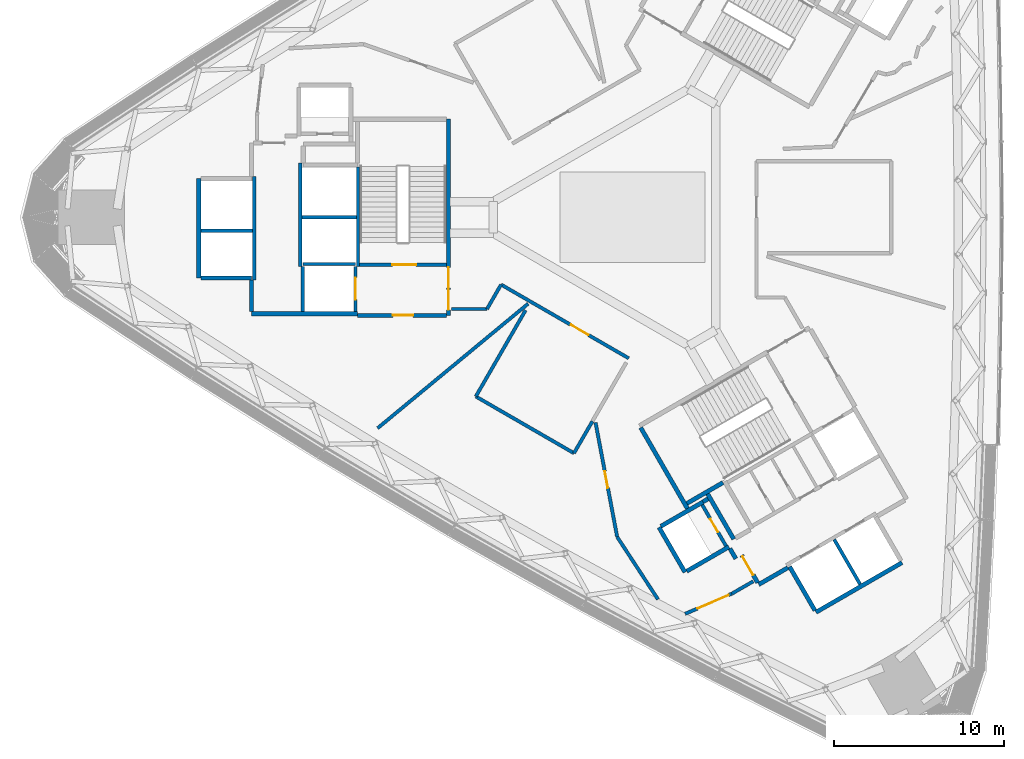
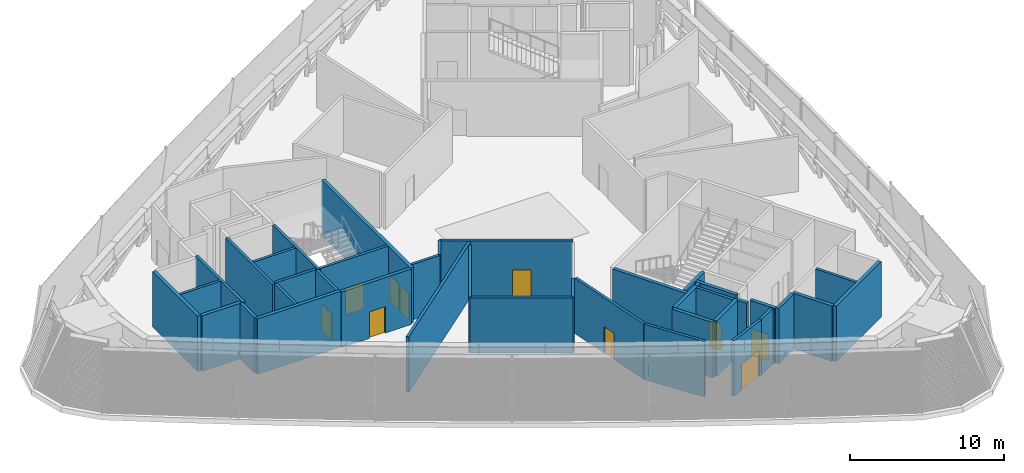
# One storey, part 10 of 17: 40 walls, 10 doors, 10 openings.
"""IFC4 building model written with IfcOpenShell, lengths in metres."""

from ifc_helpers import new_model, si_unit, direction, frame, frame_2d, origin, place, context, subcontext, project, spatial, rectangle, extrude, material, layer, layer_set, type_object, element, fill, save


model = new_model("IFC4")

# Units and contexts
model_context = context("Model", 3, precision=1e-05, world=origin(), true_north=direction((0.0, 1.0)))
body_context = subcontext(model_context, "Body", "Model", "MODEL_VIEW")
ifc_project = project(units=[si_unit("LENGTHUNIT", "METRE"), si_unit("AREAUNIT", "SQUARE_METRE"), si_unit("VOLUMEUNIT", "CUBIC_METRE"), si_unit("PLANEANGLEUNIT", "RADIAN"), si_unit("MASSUNIT", "GRAM", prefix="KILO")], contexts=[model_context])

# Site, building, storey
site_placement = place(None, origin())
site = spatial("IfcSite", under=ifc_project, at=site_placement, CompositionType="ELEMENT")
building_placement = place(site_placement, origin())
building = spatial("IfcBuilding", under=site, at=building_placement, Name="Tamra Quay Hotel Tower", CompositionType="ELEMENT")
storey_placement = place(building_placement, frame((0.0, 0.0, 119.0)))
storey = spatial("IfcBuildingStorey", under=building, at=storey_placement, Name="L29", CompositionType="ELEMENT", Elevation=119.0)

# Walls
ifc_material_1 = material(Name="Concrete M70", Category="concrete")
ifc_layer_1 = layer(ifc_material_1, 0.199951171875)
ifc_layer_set_1 = layer_set([ifc_layer_1], Name="Concrete M70 core wall 200")
wall_type_1 = type_object("IfcWallType", Name="Concrete M70 core wall 200", PredefinedType="SHEAR", material=ifc_layer_set_1)
wall_1_placement = place(storey_placement, frame((-16.162109375, 2.95068359375, 0.0), z_axis=(0.0, 0.0, 1.0), x_axis=(0.0, -1.0, 0.0)))
element("IfcWall", 1, at=wall_1_placement, inside=storey, type_object=wall_type_1, Name="CW2", PredefinedType="SHEAR", context=body_context, shape_type="SweptSolid", body=[
    extrude(rectangle(XDim=5.850830078125, YDim=0.199951171875, at=frame_2d((2.92529296875, 0.0))), origin(), (0.0, 0.0, 1.0), 4.39990234375),
])
for number, where, z_axis, x_axis, name in (
    (2, (-19.5625, -2.900146484375, 0.0), (0.0, 0.0, 1.0), (0.0, 1.0, 0.0), "CW2"),
    (3, (-22.26220703125, 2.400146484375, 0.0), (0.0, 0.0, 1.0), (0.0, -1.0, 0.0), "CW2"),
):
    element("IfcWall", number, at=place(storey_placement, frame(where, z_axis=z_axis, x_axis=x_axis)), inside=storey, type_object=wall_type_1, Name=name, PredefinedType="SHEAR", context=body_context, shape_type="SweptSolid", body=[
        extrude(rectangle(XDim=6.100341796875, YDim=0.199951171875, at=frame_2d((3.05029296875, 0.0))), origin(), (0.0, 0.0, 1.0), 4.39990234375),
    ])

# Wall, opening, door
wall_2_placement = place(storey_placement, frame((-10.96337890625, -2.800048828125, 0.0), z_axis=(0.0, 0.0, 1.0), x_axis=(-1.0, 0.0, 0.0)))
wall_2 = element("IfcWall", 4, at=wall_2_placement, inside=storey, type_object=wall_type_1, Name="CW2", PredefinedType="SHEAR", context=body_context, shape_type="SweptSolid", body=[
    extrude(rectangle(XDim=5.097900390625, YDim=0.199951171875, at=frame_2d((2.548828125, 0.0))), origin(), (0.0, 0.0, 1.0), 4.39990234375),
])
opening_1_placement = place(wall_2_placement, frame((1.77392578125, 0.0, 0.0)))
opening_1 = element("IfcOpeningElement", 5, at=opening_1_placement, cuts=wall_2, Name="Opening FD2", PredefinedType="OPENING", context=body_context, shape_type="SweptSolid", body=[
    extrude(rectangle(XDim=1.39990234375, YDim=2.10009765625, at=frame_2d((0.699951171875, 1.050048828125))), frame((0.0, 0.10986328125, 0.0), z_axis=(0.0, -1.0, 0.0), x_axis=(1.0, 0.0, 0.0)), (0.0, 0.0, 1.0), 0.219970703125),
])
ifc_material_2 = material(Name="Core door FD2 1400x2100 RH")
door_type_1 = type_object("IfcDoorType", Name="Core door FD2 1400x2100 RH", OperationType="NOTDEFINED", PredefinedType="DOOR", material=ifc_material_2)
door_1_placement = place(opening_1_placement, origin())
door_1 = element("IfcDoor", 6, at=door_1_placement, inside=storey, type_object=door_type_1, Name="FD2", OperationType="SINGLE_SWING_RIGHT", OverallHeight=2.10009765625, OverallWidth=1.39990234375, PredefinedType="DOOR", context=body_context, shape_type="SweptSolid", body=[
    extrude(rectangle(XDim=1.39990234375, YDim=2.10009765625, at=frame_2d((0.699951171875, 1.050048828125))), frame((0.0, 0.02490234375, 0.0), z_axis=(0.0, -1.0, 0.0), x_axis=(1.0, 0.0, 0.0)), (0.0, 0.0, 1.0), 0.050048828125),
])
fill(opening_1, door_1)

# Walls
wall_3_placement = place(storey_placement, frame((-16.26318359375, 0.0, 0.0), z_axis=(0.0, 0.0, 1.0), x_axis=(-1.0, 0.0, 0.0)))
element("IfcWall", 7, at=wall_3_placement, inside=storey, type_object=wall_type_1, Name="CW2", PredefinedType="SHEAR", context=body_context, shape_type="SweptSolid", body=[
    extrude(rectangle(XDim=3.1982421875, YDim=0.199951171875, at=frame_2d((1.59912109375, 0.0))), origin(), (0.0, 0.0, 1.0), 4.39990234375),
])
wall_4_placement = place(storey_placement, frame((-22.36328125, -0.800048828125, 0.0), z_axis=(0.0, 0.0, 1.0), x_axis=(-1.0, 0.0, 0.0)))
element("IfcWall", 8, at=wall_4_placement, inside=storey, type_object=wall_type_1, Name="CW2", PredefinedType="SHEAR", context=body_context, shape_type="SweptSolid", body=[
    extrude(rectangle(XDim=3.048095703125, YDim=0.199951171875, at=frame_2d((1.52392578125, 0.0))), origin(), (0.0, 0.0, 1.0), 4.39990234375),
])
wall_5_placement = place(storey_placement, frame((-19.412353515625, -2.75, 0.0), z_axis=(0.0, 0.0, 1.0), x_axis=(1.0, 0.0, 0.0)))
element("IfcWall", 9, at=wall_5_placement, inside=storey, type_object=wall_type_1, Name="CW2", PredefinedType="SHEAR", context=body_context, shape_type="SweptSolid", body=[
    extrude(rectangle(XDim=3.10009765625, YDim=0.199951171875, at=frame_2d((1.550048828125, 0.0))), origin(), (0.0, 0.0, 1.0), 4.39990234375),
])

# Wall, opening, door
wall_6_placement = place(storey_placement, frame((-16.312255859375, -2.898193359375, 0.0), z_axis=(0.0, 0.0, 1.0), x_axis=(0.0, -1.0, 0.0)))
wall_6 = element("IfcWall", 10, at=wall_6_placement, inside=storey, type_object=wall_type_1, Name="CW2", PredefinedType="SHEAR", context=body_context, shape_type="SweptSolid", body=[
    extrude(rectangle(XDim=2.65087890625, YDim=0.199951171875, at=frame_2d((1.325439453125, 0.0))), origin(), (0.0, 0.0, 1.0), 4.39990234375),
])
opening_2_placement = place(wall_6_placement, frame((0.65185546875, 0.0, 0.0)))
opening_2 = element("IfcOpeningElement", 11, at=opening_2_placement, cuts=wall_6, Name="Opening LD", PredefinedType="OPENING", context=body_context, shape_type="SweptSolid", body=[
    extrude(rectangle(XDim=1.300048828125, YDim=2.10009765625, at=frame_2d((0.64990234375, 1.050048828125))), frame((0.0, 0.10986328125, 0.0), z_axis=(0.0, -1.0, 0.0), x_axis=(1.0, 0.0, 0.0)), (0.0, 0.0, 1.0), 0.219970703125),
])
ifc_material_3 = material(Name="Landing door LD 1300 sliding to right")
door_type_2 = type_object("IfcDoorType", Name="Landing door LD 1300 sliding to right", OperationType="NOTDEFINED", PredefinedType="DOOR", material=ifc_material_3)
door_2_placement = place(opening_2_placement, origin())
door_2 = element("IfcDoor", 12, at=door_2_placement, inside=storey, type_object=door_type_2, Name="LD", OperationType="SLIDING_TO_RIGHT", OverallHeight=2.10009765625, OverallWidth=1.300048828125, PredefinedType="DOOR", context=body_context, shape_type="SweptSolid", body=[
    extrude(rectangle(XDim=1.300048828125, YDim=2.10009765625, at=frame_2d((0.64990234375, 1.050048828125))), frame((0.0, 0.02490234375, 0.0), z_axis=(0.0, -1.0, 0.0), x_axis=(1.0, 0.0, 0.0)), (0.0, 0.0, 1.0), 0.050048828125),
])
fill(opening_2, door_2)

# Walls
wall_7_placement = place(storey_placement, frame((-19.412353515625, -5.549072265625, 0.0), z_axis=(0.0, 0.0, 1.0), x_axis=(0.0, 1.0, 0.0)))
element("IfcWall", 13, at=wall_7_placement, inside=storey, type_object=wall_type_1, Name="CW2", PredefinedType="SHEAR", context=body_context, shape_type="SweptSolid", body=[
    extrude(rectangle(XDim=2.65087890625, YDim=0.199951171875, at=frame_2d((1.325439453125, 0.0))), origin(), (0.0, 0.0, 1.0), 4.39990234375),
])
wall_8_placement = place(storey_placement, frame((11.87451171875, -18.967041015625, 0.0), z_axis=(0.0, 0.0, 1.0), x_axis=(0.49998131003, -0.866036194175, 0.0)))
element("IfcWall", 14, at=wall_8_placement, inside=storey, type_object=wall_type_1, Name="CW2", PredefinedType="SHEAR", context=body_context, shape_type="SweptSolid", body=[
    extrude(rectangle(XDim=3.0478515625, YDim=0.199951171875, at=frame_2d((1.52392578125, 0.0))), origin(), (0.0, 0.0, 1.0), 4.39990234375),
])

# Wall, opening, door
wall_9_placement = place(storey_placement, frame((5.50341796875, -19.352294921875, 0.0), z_axis=(0.0, 0.0, 1.0), x_axis=(-0.499986818241, 0.866033014143, 0.0)))
wall_9 = element("IfcWall", 15, at=wall_9_placement, inside=storey, type_object=wall_type_1, Name="CW2", PredefinedType="SHEAR", context=body_context, shape_type="SweptSolid", body=[
    extrude(rectangle(XDim=2.7978515625, YDim=0.199951171875, at=frame_2d((1.39892578125, 0.0))), origin(), (0.0, 0.0, 1.0), 4.39990234375),
])
opening_3_placement = place(wall_9_placement, frame((0.948974609375, 0.0, 0.0)))
opening_3 = element("IfcOpeningElement", 16, at=opening_3_placement, cuts=wall_9, Name="Opening D1", PredefinedType="OPENING", context=body_context, shape_type="SweptSolid", body=[
    extrude(rectangle(XDim=0.89990234375, YDim=2.10009765625, at=frame_2d((0.449951171875, 1.050048828125))), frame((0.0, 0.10986328125, 0.0), z_axis=(0.0, -1.0, 0.0), x_axis=(1.0, 0.0, 0.0)), (0.0, 0.0, 1.0), 0.219970703125),
])
ifc_material_4 = material(Name="Core door D1 900x2100 RH")
door_type_3 = type_object("IfcDoorType", Name="Core door D1 900x2100 RH", OperationType="NOTDEFINED", PredefinedType="DOOR", material=ifc_material_4)
door_3_placement = place(opening_3_placement, origin())
door_3 = element("IfcDoor", 17, at=door_3_placement, inside=storey, type_object=door_type_3, Name="D1", OperationType="SINGLE_SWING_RIGHT", OverallHeight=2.10009765625, OverallWidth=0.89990234375, PredefinedType="DOOR", context=body_context, shape_type="SweptSolid", body=[
    extrude(rectangle(XDim=0.89990234375, YDim=2.10009765625, at=frame_2d((0.449951171875, 1.050048828125))), frame((0.0, 0.02490234375, 0.0), z_axis=(0.0, -1.0, 0.0), x_axis=(1.0, 0.0, 0.0)), (0.0, 0.0, 1.0), 0.050048828125),
])
fill(opening_3, door_3)

# Wall, openings, doors
ifc_layer_2 = layer(ifc_material_1, 0.25)
ifc_layer_set_2 = layer_set([ifc_layer_2], Name="Concrete M70 core wall 250")
wall_type_2 = type_object("IfcWallType", Name="Concrete M70 core wall 250", PredefinedType="SHEAR", material=ifc_layer_set_2)
wall_10_placement = place(storey_placement, frame((-10.83740234375, 5.77490234375, 0.0), z_axis=(0.0, 0.0, 1.0), x_axis=(0.0, -1.0, 0.0)))
wall_10 = element("IfcWall", 18, at=wall_10_placement, inside=storey, type_object=wall_type_2, Name="CW1", PredefinedType="SHEAR", context=body_context, shape_type="SweptSolid", body=[
    extrude(rectangle(XDim=11.5498046875, YDim=0.25, at=frame_2d((5.77490234375, 0.0))), origin(), (0.0, 0.0, 1.0), 4.39990234375),
])
opening_4_placement = place(wall_10_placement, frame((10.02490234375, 0.0, 0.0)))
opening_4 = element("IfcOpeningElement", 19, at=opening_4_placement, cuts=wall_10, Name="Opening FD1", PredefinedType="OPENING", context=body_context, shape_type="SweptSolid", body=[
    extrude(rectangle(XDim=1.199951171875, YDim=2.10009765625, at=frame_2d((0.60009765625, 1.050048828125))), frame((0.0, 0.135009765625, 0.0), z_axis=(0.0, -1.0, 0.0), x_axis=(1.0, 0.0, 0.0)), (0.0, 0.0, 1.0), 0.27001953125),
])
opening_5_placement = place(wall_10_placement, frame((8.72509765625, 0.0, 0.0)))
opening_5 = element("IfcOpeningElement", 20, at=opening_5_placement, cuts=wall_10, Name="Opening FD1", PredefinedType="OPENING", context=body_context, shape_type="SweptSolid", body=[
    extrude(rectangle(XDim=1.199951171875, YDim=2.10009765625, at=frame_2d((0.60009765625, 1.050048828125))), frame((0.0, 0.135009765625, 0.0), z_axis=(0.0, -1.0, 0.0), x_axis=(1.0, 0.0, 0.0)), (0.0, 0.0, 1.0), 0.27001953125),
])
ifc_material_5 = material(Name="Core door FD1 1200x2100 LH")
door_type_4 = type_object("IfcDoorType", Name="Core door FD1 1200x2100 LH", OperationType="NOTDEFINED", PredefinedType="DOOR", material=ifc_material_5)
door_4_placement = place(opening_4_placement, origin())
door_4 = element("IfcDoor", 21, at=door_4_placement, inside=storey, type_object=door_type_4, Name="FD1", OperationType="SINGLE_SWING_LEFT", OverallHeight=2.10009765625, OverallWidth=1.199951171875, PredefinedType="DOOR", context=body_context, shape_type="SweptSolid", body=[
    extrude(rectangle(XDim=1.199951171875, YDim=2.10009765625, at=frame_2d((0.60009765625, 1.050048828125))), frame((0.0, 0.02490234375, 0.0), z_axis=(0.0, -1.0, 0.0), x_axis=(1.0, 0.0, 0.0)), (0.0, 0.0, 1.0), 0.050048828125),
])
fill(opening_4, door_4)
ifc_material_6 = material(Name="Core door FD1 1200x2100 RH")
door_type_5 = type_object("IfcDoorType", Name="Core door FD1 1200x2100 RH", OperationType="NOTDEFINED", PredefinedType="DOOR", material=ifc_material_6)
door_5_placement = place(opening_5_placement, origin())
door_5 = element("IfcDoor", 22, at=door_5_placement, inside=storey, type_object=door_type_5, Name="FD1", OperationType="SINGLE_SWING_RIGHT", OverallHeight=2.10009765625, OverallWidth=1.199951171875, PredefinedType="DOOR", context=body_context, shape_type="SweptSolid", body=[
    extrude(rectangle(XDim=1.199951171875, YDim=2.10009765625, at=frame_2d((0.60009765625, 1.050048828125))), frame((0.0, 0.02490234375, 0.0), z_axis=(0.0, -1.0, 0.0), x_axis=(1.0, 0.0, 0.0)), (0.0, 0.0, 1.0), 0.050048828125),
])
fill(opening_5, door_5)

# Walls
wall_11_placement = place(storey_placement, frame((-16.187255859375, -5.675048828125, 0.0), z_axis=(0.0, 0.0, 1.0), x_axis=(-1.0, 0.0, 0.0)))
element("IfcWall", 23, at=wall_11_placement, inside=storey, type_object=wall_type_2, Name="CW1", PredefinedType="SHEAR", context=body_context, shape_type="SweptSolid", body=[
    extrude(rectangle(XDim=6.25, YDim=0.25, at=frame_2d((3.125, 0.0))), origin(), (0.0, 0.0, 1.0), 4.39990234375),
])
wall_12_placement = place(storey_placement, frame((-25.537353515625, -3.574951171875, 0.0), z_axis=(0.0, 0.0, 1.0), x_axis=(0.0, 1.0, 0.0)))
element("IfcWall", 24, at=wall_12_placement, inside=storey, type_object=wall_type_2, Name="CW1", PredefinedType="SHEAR", context=body_context, shape_type="SweptSolid", body=[
    extrude(rectangle(XDim=5.849853515625, YDim=0.25, at=frame_2d((2.9248046875, 0.0))), origin(), (0.0, 0.0, 1.0), 4.39990234375),
])

# Wall, opening, door
wall_13_placement = place(storey_placement, frame((-10.962646484375, -5.77490234375, 0.0), z_axis=(0.0, 0.0, 1.0), x_axis=(-1.0, 0.0, 0.0)))
wall_13 = element("IfcWall", 25, at=wall_13_placement, inside=storey, type_object=wall_type_2, Name="CW1", PredefinedType="SHEAR", context=body_context, shape_type="SweptSolid", body=[
    extrude(rectangle(XDim=5.224609375, YDim=0.25, at=frame_2d((2.6123046875, 0.0))), origin(), (0.0, 0.0, 1.0), 4.39990234375),
])
opening_6_placement = place(wall_13_placement, frame((1.94970703125, 0.0, 0.0)))
opening_6 = element("IfcOpeningElement", 26, at=opening_6_placement, cuts=wall_13, Name="Opening D2", PredefinedType="OPENING", context=body_context, shape_type="SweptSolid", body=[
    extrude(rectangle(XDim=1.199951171875, YDim=2.10009765625, at=frame_2d((0.60009765625, 1.050048828125))), frame((0.0, 0.135009765625, 0.0), z_axis=(0.0, -1.0, 0.0), x_axis=(1.0, 0.0, 0.0)), (0.0, 0.0, 1.0), 0.27001953125),
])
ifc_material_7 = material(Name="Core door D2 1200x2100 LH")
door_type_6 = type_object("IfcDoorType", Name="Core door D2 1200x2100 LH", OperationType="NOTDEFINED", PredefinedType="DOOR", material=ifc_material_7)
door_6_placement = place(opening_6_placement, origin())
door_6 = element("IfcDoor", 27, at=door_6_placement, inside=storey, type_object=door_type_6, Name="D2", OperationType="SINGLE_SWING_LEFT", OverallHeight=2.10009765625, OverallWidth=1.199951171875, PredefinedType="DOOR", context=body_context, shape_type="SweptSolid", body=[
    extrude(rectangle(XDim=1.199951171875, YDim=2.10009765625, at=frame_2d((0.60009765625, 1.050048828125))), frame((0.0, 0.02490234375, 0.0), z_axis=(0.0, -1.0, 0.0), x_axis=(1.0, 0.0, 0.0)), (0.0, 0.0, 1.0), 0.050048828125),
])
fill(opening_6, door_6)

# Walls
wall_14_placement = place(storey_placement, frame((-22.437255859375, -3.574951171875, 0.0), z_axis=(0.0, 0.0, 1.0), x_axis=(-1.0, 0.0, 0.0)))
element("IfcWall", 28, at=wall_14_placement, inside=storey, type_object=wall_type_2, Name="CW1", PredefinedType="SHEAR", context=body_context, shape_type="SweptSolid", body=[
    extrude(rectangle(XDim=2.974609375, YDim=0.25, at=frame_2d((1.4873046875, 0.0))), origin(), (0.0, 0.0, 1.0), 4.39990234375),
])
wall_15_placement = place(storey_placement, frame((-22.437255859375, -5.549560546875, 0.0), z_axis=(0.0, 0.0, 1.0), x_axis=(0.0, 1.0, 0.0)))
element("IfcWall", 29, at=wall_15_placement, inside=storey, type_object=wall_type_2, Name="CW1", PredefinedType="SHEAR", context=body_context, shape_type="SweptSolid", body=[
    extrude(rectangle(XDim=1.84912109375, YDim=0.25, at=frame_2d((0.924560546875, 0.0))), origin(), (0.0, 0.0, 1.0), 4.39990234375),
])
wall_16_placement = place(storey_placement, frame((15.86474609375, -20.328369140625, 0.0), z_axis=(0.0, 0.0, 1.0), x_axis=(-0.86602852612, -0.499994591916, 0.0)))
element("IfcWall", 30, at=wall_16_placement, inside=storey, type_object=wall_type_2, Name="CW1", PredefinedType="SHEAR", context=body_context, shape_type="SweptSolid", body=[
    extrude(rectangle(XDim=5.85009765625, YDim=0.25, at=frame_2d((2.925048828125, 0.0))), origin(), (0.0, 0.0, 1.0), 4.39990234375),
])
wall_17_placement = place(storey_placement, frame((3.23486328125, -17.15283203125, 0.0), z_axis=(0.0, 0.0, 1.0), x_axis=(-0.500008851346, 0.866020293397, 0.0)))
element("IfcWall", 31, at=wall_17_placement, inside=storey, type_object=wall_type_2, Name="CW1", PredefinedType="SHEAR", context=body_context, shape_type="SweptSolid", body=[
    extrude(rectangle(XDim=5.509765625, YDim=0.25, at=frame_2d((2.7548828125, 0.0))), origin(), (0.0, 0.0, 1.0), 4.39990234375),
])
wall_18_placement = place(storey_placement, frame((10.73583984375, -23.144775390625, 0.0), z_axis=(0.0, 0.0, 1.0), x_axis=(-0.500023226632, 0.866011993467, 0.0)))
element("IfcWall", 32, at=wall_18_placement, inside=storey, type_object=wall_type_2, Name="CW1", PredefinedType="SHEAR", context=body_context, shape_type="SweptSolid", body=[
    extrude(rectangle(XDim=2.974365234375, YDim=0.25, at=frame_2d((1.4873046875, 0.0))), origin(), (0.0, 0.0, 1.0), 4.39990234375),
])
wall_19_placement = place(storey_placement, frame((3.085205078125, -20.893798828125, 0.0), z_axis=(0.0, 0.0, 1.0), x_axis=(-0.499978833458, 0.866037623948, 0.0)))
element("IfcWall", 33, at=wall_19_placement, inside=storey, type_object=wall_type_2, Name="CW1", PredefinedType="SHEAR", context=body_context, shape_type="SweptSolid", body=[
    extrude(rectangle(XDim=3.050048828125, YDim=0.25, at=frame_2d((1.52490234375, 0.0))), origin(), (0.0, 0.0, 1.0), 4.39990234375),
])
wall_20_placement = place(storey_placement, frame((1.6689453125, -18.189697265625, 0.0), z_axis=(0.0, 0.0, 1.0), x_axis=(0.866042235819, 0.499970844928, 0.0)))
element("IfcWall", 34, at=wall_20_placement, inside=storey, type_object=wall_type_2, Name="CW1", PredefinedType="SHEAR", context=body_context, shape_type="SweptSolid", body=[
    extrude(rectangle(XDim=2.864501953125, YDim=0.25, at=frame_2d((1.43212890625, 0.0))), origin(), (0.0, 0.0, 1.0), 4.39990234375),
])
wall_21_placement = place(storey_placement, frame((5.6748046875, -19.39892578125, 0.0), z_axis=(0.0, 0.0, 1.0), x_axis=(-0.866026637627, -0.499997862916, 0.0)))
element("IfcWall", 35, at=wall_21_placement, inside=storey, type_object=wall_type_2, Name="CW1", PredefinedType="SHEAR", context=body_context, shape_type="SweptSolid", body=[
    extrude(rectangle(XDim=2.86474609375, YDim=0.25, at=frame_2d((1.432373046875, 0.0))), origin(), (0.0, 0.0, 1.0), 4.39990234375),
])
wall_22_placement = place(storey_placement, frame((4.414306640625, -16.275634765625, 0.0), z_axis=(0.0, 0.0, 1.0), x_axis=(0.500003324108, -0.866023484601, 0.0)))
element("IfcWall", 36, at=wall_22_placement, inside=storey, type_object=wall_type_2, Name="CW1", PredefinedType="SHEAR", context=body_context, shape_type="SweptSolid", body=[
    extrude(rectangle(XDim=3.0849609375, YDim=0.25, at=frame_2d((1.54248046875, 0.0))), origin(), (0.0, 0.0, 1.0), 4.39990234375),
])
wall_23_placement = place(storey_placement, frame((5.322021484375, -15.618896484375, 0.0), z_axis=(0.0, 0.0, 1.0), x_axis=(-0.866026229868, -0.499998569178, 0.0)))
element("IfcWall", 37, at=wall_23_placement, inside=storey, type_object=wall_type_2, Name="CW1", PredefinedType="SHEAR", context=body_context, shape_type="SweptSolid", body=[
    extrude(rectangle(XDim=2.44921875, YDim=0.25, at=frame_2d((1.224609375, 0.0))), origin(), (0.0, 0.0, 1.0), 4.39990234375),
])
wall_24_placement = place(storey_placement, frame((9.139892578125, -20.63134765625, 0.0), z_axis=(0.0, 0.0, 1.0), x_axis=(-0.866043531843, -0.499968599967, 0.0)))
element("IfcWall", 38, at=wall_24_placement, inside=storey, type_object=wall_type_2, Name="CW1", PredefinedType="SHEAR", context=body_context, shape_type="SweptSolid", body=[
    extrude(rectangle(XDim=1.974853515625, YDim=0.25, at=frame_2d((0.9873046875, 0.0))), origin(), (0.0, 0.0, 1.0), 4.39990234375),
])

# Wall, opening, door
wall_25_placement = place(storey_placement, frame((7.3671875, -21.51025390625, 0.0), z_axis=(0.0, 0.0, 1.0), x_axis=(-0.499983108224, 0.866035156036, 0.0)))
wall_25 = element("IfcWall", 39, at=wall_25_placement, inside=storey, type_object=wall_type_2, Name="CW1", PredefinedType="SHEAR", context=body_context, shape_type="SweptSolid", body=[
    extrude(rectangle(XDim=1.86474609375, YDim=0.25, at=frame_2d((0.932373046875, 0.0))), origin(), (0.0, 0.0, 1.0), 4.39990234375),
])
opening_7_placement = place(wall_25_placement, frame((0.53466796875, 0.0, 0.0)))
opening_7 = element("IfcOpeningElement", 40, at=opening_7_placement, cuts=wall_25, Name="Opening FD3", PredefinedType="OPENING", context=body_context, shape_type="SweptSolid", body=[
    extrude(rectangle(XDim=1.25, YDim=2.10009765625, at=frame_2d((0.625, 1.050048828125))), frame((0.0, 0.135009765625, 0.0), z_axis=(0.0, -1.0, 0.0), x_axis=(1.0, 0.0, 0.0)), (0.0, 0.0, 1.0), 0.27001953125),
])
ifc_material_8 = material(Name="Core door FD3 1250x2100 LH")
door_type_7 = type_object("IfcDoorType", Name="Core door FD3 1250x2100 LH", OperationType="NOTDEFINED", PredefinedType="DOOR", material=ifc_material_8)
door_7_placement = place(opening_7_placement, origin())
door_7 = element("IfcDoor", 41, at=door_7_placement, inside=storey, type_object=door_type_7, Name="FD3", OperationType="SINGLE_SWING_LEFT", OverallHeight=2.10009765625, OverallWidth=1.25, PredefinedType="DOOR", context=body_context, shape_type="SweptSolid", body=[
    extrude(rectangle(XDim=1.25, YDim=2.10009765625, at=frame_2d((0.625, 1.050048828125))), frame((0.0, 0.02490234375, 0.0), z_axis=(0.0, -1.0, 0.0), x_axis=(1.0, 0.0, 0.0)), (0.0, 0.0, 1.0), 0.050048828125),
])
fill(opening_7, door_7)

# Walls
wall_26_placement = place(storey_placement, frame((6.07958984375, -20.100341796875, 0.0), z_axis=(0.0, 0.0, 1.0), x_axis=(-0.500051773299, 0.865995510393, 0.0)))
element("IfcWall", 42, at=wall_26_placement, inside=storey, type_object=wall_type_2, Name="CW1", PredefinedType="SHEAR", context=body_context, shape_type="SweptSolid", body=[
    extrude(rectangle(XDim=0.6845703125, YDim=0.25, at=frame_2d((0.34228515625, 0.0))), origin(), (0.0, 0.0, 1.0), 4.39990234375),
])
wall_27_placement = place(storey_placement, frame((4.144775390625, -16.748779296875, 0.0), z_axis=(0.0, 0.0, 1.0), x_axis=(0.866185586049, 0.49972245349, 0.0)))
element("IfcWall", 43, at=wall_27_placement, inside=storey, type_object=wall_type_2, Name="CW1", PredefinedType="SHEAR", context=body_context, shape_type="SweptSolid", body=[
    extrude(rectangle(XDim=0.344482421875, YDim=0.25, at=frame_2d((0.17236328125, 0.0))), origin(), (0.0, 0.0, 1.0), 4.39990234375),
])
ifc_material_9 = material(Name="Partition corridor wall")
ifc_layer_3 = layer(ifc_material_9, 0.199951171875)
ifc_layer_set_3 = layer_set([ifc_layer_3], Name="Partition corridor wall")
wall_type_3 = type_object("IfcWallType", Name="Partition corridor wall", PredefinedType="PARTITIONING", material=ifc_layer_set_3)
wall_28_placement = place(storey_placement, frame((-10.65234375, -5.39990234375, 0.0), z_axis=(0.0, 0.0, 1.0), x_axis=(1.0, 0.0, 0.0)))
element("IfcWall", 44, at=wall_28_placement, inside=storey, type_object=wall_type_3, Name="W-C", PredefinedType="PARTITIONING", context=body_context, shape_type="SweptSolid", body=[
    extrude(rectangle(XDim=2.083251953125, YDim=0.199951171875, at=frame_2d((1.04150390625, 0.0))), origin(), (0.0, 0.0, 1.0), 4.39990234375),
])
wall_29_placement = place(storey_placement, frame((-8.569091796875, -5.39990234375, 0.0), z_axis=(0.0, 0.0, 1.0), x_axis=(0.499680043538, 0.866210051945, 0.0)))
element("IfcWall", 45, at=wall_29_placement, inside=storey, type_object=wall_type_3, Name="W-C", PredefinedType="PARTITIONING", context=body_context, shape_type="SweptSolid", body=[
    extrude(rectangle(XDim=1.6611328125, YDim=0.199951171875, at=frame_2d((0.83056640625, 0.0))), origin(), (0.0, 0.0, 1.0), 4.39990234375),
])

# Wall, opening, door
wall_30_placement = place(storey_placement, frame((-7.739013671875, -3.9609375, 0.0), z_axis=(0.0, 0.0, 1.0), x_axis=(0.866037537246, -0.49997898364, 0.0)))
wall_30 = element("IfcWall", 46, at=wall_30_placement, inside=storey, type_object=wall_type_3, Name="W-C", PredefinedType="PARTITIONING", context=body_context, shape_type="SweptSolid", body=[
    extrude(rectangle(XDim=8.677490234375, YDim=0.199951171875, at=frame_2d((4.3388671875, 0.0))), origin(), (0.0, 0.0, 1.0), 4.39990234375),
])
opening_8_placement = place(wall_30_placement, frame((4.741455078125, 0.0, 0.0)))
opening_8 = element("IfcOpeningElement", 47, at=opening_8_placement, cuts=wall_30, Name="Opening L29-D009", PredefinedType="OPENING", context=body_context, shape_type="SweptSolid", body=[
    extrude(rectangle(XDim=1.199951171875, YDim=2.10009765625, at=frame_2d((0.60009765625, 1.050048828125))), frame((0.0, 0.10986328125, 0.0), z_axis=(0.0, -1.0, 0.0), x_axis=(1.0, 0.0, 0.0)), (0.0, 0.0, 1.0), 0.219970703125),
])
ifc_material_10 = material(Name="Door fire rated 1200x2100")
door_type_8 = type_object("IfcDoorType", Name="Door fire rated 1200x2100", OperationType="NOTDEFINED", PredefinedType="DOOR", material=ifc_material_10)
door_8_placement = place(opening_8_placement, frame((1.199951171875, 0.0, 0.0), z_axis=(0.0, 0.0, 1.0), x_axis=(-1.0, 0.0, 0.0)))
door_8 = element("IfcDoor", 48, at=door_8_placement, inside=storey, type_object=door_type_8, Name="L29-D009", OperationType="SINGLE_SWING_LEFT", OverallHeight=2.10009765625, OverallWidth=1.199951171875, PredefinedType="DOOR", context=body_context, shape_type="SweptSolid", body=[
    extrude(rectangle(XDim=1.199951171875, YDim=2.10009765625, at=frame_2d((0.60009765625, 1.050048828125))), frame((0.0, 0.02490234375, 0.0), z_axis=(0.0, -1.0, 0.0), x_axis=(1.0, 0.0, 0.0)), (0.0, 0.0, 1.0), 0.050048828125),
])
fill(opening_8, door_8)

wall_31_placement = place(storey_placement, frame((-2.178955078125, -12.08203125, 0.0), z_axis=(0.0, 0.0, 1.0), x_axis=(0.185858209559, -0.982576575102, 0.0)))
wall_31 = element("IfcWall", 49, at=wall_31_placement, inside=storey, type_object=wall_type_3, Name="W-C", PredefinedType="PARTITIONING", context=body_context, shape_type="SweptSolid", body=[
    extrude(rectangle(XDim=6.854248046875, YDim=0.199951171875, at=frame_2d((3.42724609375, 0.0))), origin(), (0.0, 0.0, 1.0), 4.39990234375),
])
opening_9_placement = place(wall_31_placement, frame((2.917724609375, 0.0, 0.0)))
opening_9 = element("IfcOpeningElement", 50, at=opening_9_placement, cuts=wall_31, Name="Opening L29-D006", PredefinedType="OPENING", context=body_context, shape_type="SweptSolid", body=[
    extrude(rectangle(XDim=1.0, YDim=2.10009765625, at=frame_2d((0.5, 1.050048828125))), frame((0.0, 0.10986328125, 0.0), z_axis=(0.0, -1.0, 0.0), x_axis=(1.0, 0.0, 0.0)), (0.0, 0.0, 1.0), 0.219970703125),
])
ifc_material_11 = material(Name="Door service room 1000x2100")
door_type_9 = type_object("IfcDoorType", Name="Door service room 1000x2100", OperationType="NOTDEFINED", PredefinedType="DOOR", material=ifc_material_11)
door_9_placement = place(opening_9_placement, frame((1.0, 0.0, 0.0), z_axis=(0.0, 0.0, 1.0), x_axis=(-1.0, 0.0, 0.0)))
door_9 = element("IfcDoor", 51, at=door_9_placement, inside=storey, type_object=door_type_9, Name="L29-D006", OperationType="SINGLE_SWING_LEFT", OverallHeight=2.10009765625, OverallWidth=1.0, PredefinedType="DOOR", context=body_context, shape_type="SweptSolid", body=[
    extrude(rectangle(XDim=1.0, YDim=2.10009765625, at=frame_2d((0.5, 1.050048828125))), frame((0.0, 0.02490234375, 0.0), z_axis=(0.0, -1.0, 0.0), x_axis=(1.0, 0.0, 0.0)), (0.0, 0.0, 1.0), 0.050048828125),
])
fill(opening_9, door_9)

# Wall
wall_32_placement = place(storey_placement, frame((-0.905029296875, -18.81689453125, 0.0), z_axis=(0.0, 0.0, 1.0), x_axis=(0.547226903249, -0.836984298754, 0.0)))
element("IfcWall", 52, at=wall_32_placement, inside=storey, type_object=wall_type_3, Name="W-C", PredefinedType="PARTITIONING", context=body_context, shape_type="SweptSolid", body=[
    extrude(rectangle(XDim=4.39306640625, YDim=0.199951171875, at=frame_2d((2.196533203125, 0.0))), origin(), (0.0, 0.0, 1.0), 4.39990234375),
])

# Wall, opening, door
wall_33_placement = place(storey_placement, frame((3.095947265625, -23.345947265625, 0.0), z_axis=(0.0, 0.0, 1.0), x_axis=(0.918086648611, 0.396379749285, 0.0)))
wall_33 = element("IfcWall", 53, at=wall_33_placement, inside=storey, type_object=wall_type_3, Name="W-C", PredefinedType="PARTITIONING", context=body_context, shape_type="SweptSolid", body=[
    extrude(rectangle(XDim=2.9921875, YDim=0.199951171875, at=frame_2d((1.49609375, 0.0))), origin(), (0.0, 0.0, 1.0), 4.39990234375),
])
opening_10_placement = place(wall_33_placement, frame((0.791748046875, 0.0, 0.0)))
opening_10 = element("IfcOpeningElement", 54, at=opening_10_placement, cuts=wall_33, Name="Opening L29-D001", PredefinedType="OPENING", context=body_context, shape_type="SweptSolid", body=[
    extrude(rectangle(XDim=2.0, YDim=2.10009765625, at=frame_2d((1.0, 1.050048828125))), frame((0.0, 0.10986328125, 0.0), z_axis=(0.0, -1.0, 0.0), x_axis=(1.0, 0.0, 0.0)), (0.0, 0.0, 1.0), 0.219970703125),
])
ifc_material_12 = material(Name="Door double leaf 2000x2100")
door_type_10 = type_object("IfcDoorType", Name="Door double leaf 2000x2100", OperationType="DOUBLE_DOOR_SINGLE_SWING", PredefinedType="DOOR", material=ifc_material_12)
door_10_placement = place(opening_10_placement, origin())
door_10 = element("IfcDoor", 55, at=door_10_placement, inside=storey, type_object=door_type_10, Name="L29-D001", OperationType="DOUBLE_DOOR_SINGLE_SWING", OverallHeight=2.10009765625, OverallWidth=2.0, PredefinedType="DOOR", context=body_context, shape_type="SweptSolid", body=[
    extrude(rectangle(XDim=2.0, YDim=2.10009765625, at=frame_2d((1.0, 1.050048828125))), frame((0.0, 0.02490234375, 0.0), z_axis=(0.0, -1.0, 0.0), x_axis=(1.0, 0.0, 0.0)), (0.0, 0.0, 1.0), 0.050048828125),
])
fill(opening_10, door_10)

# Walls
wall_34_placement = place(storey_placement, frame((5.843017578125, -22.159912109375, 0.0), z_axis=(0.0, 0.0, 1.0), x_axis=(0.865990618459, 0.500060245112, 0.0)))
element("IfcWall", 56, at=wall_34_placement, inside=storey, type_object=wall_type_3, Name="W-C", PredefinedType="PARTITIONING", context=body_context, shape_type="SweptSolid", body=[
    extrude(rectangle(XDim=1.459716796875, YDim=0.199951171875, at=frame_2d((0.72998046875, 0.0))), origin(), (0.0, 0.0, 1.0), 4.39990234375),
])
ifc_material_13 = material(Name="Partition party wall")
ifc_layer_4 = layer(ifc_material_13, 0.199951171875)
ifc_layer_set_4 = layer_set([ifc_layer_4], Name="Partition party wall")
wall_type_4 = type_object("IfcWallType", Name="Partition party wall", PredefinedType="PARTITIONING", material=ifc_layer_set_4)
wall_35_placement = place(storey_placement, frame((-15.00634765625, -12.41259765625, 0.0), z_axis=(0.0, 0.0, 1.0), x_axis=(0.770534562888, 0.637398217283, 0.0)))
element("IfcWall", 57, at=wall_35_placement, inside=storey, type_object=wall_type_4, Name="W-P", PredefinedType="PARTITIONING", context=body_context, shape_type="SweptSolid", body=[
    extrude(rectangle(XDim=11.497802734375, YDim=0.199951171875, at=frame_2d((5.7490234375, 0.0))), origin(), (0.0, 0.0, 1.0), 4.39990234375),
])
wall_36_placement = place(storey_placement, frame((-9.22802734375, -10.548095703125, 0.0), z_axis=(0.0, 0.0, 1.0), x_axis=(0.865974203059, -0.500088671773, 0.0)))
element("IfcWall", 58, at=wall_36_placement, inside=storey, type_object=wall_type_4, Name="W-P", PredefinedType="PARTITIONING", context=body_context, shape_type="SweptSolid", body=[
    extrude(rectangle(XDim=6.674560546875, YDim=0.199951171875, at=frame_2d((3.33740234375, 0.0))), origin(), (0.0, 0.0, 1.0), 4.39990234375),
])
wall_37_placement = place(storey_placement, frame((-9.22802734375, -10.548095703125, 0.0), z_axis=(0.0, 0.0, 1.0), x_axis=(0.499782494489, 0.866150944237, 0.0)))
element("IfcWall", 59, at=wall_37_placement, inside=storey, type_object=wall_type_4, Name="W-P", PredefinedType="PARTITIONING", context=body_context, shape_type="SweptSolid", body=[
    extrude(rectangle(XDim=5.86669921875, YDim=0.199951171875, at=frame_2d((2.933349609375, 0.0))), origin(), (0.0, 0.0, 1.0), 4.39990234375),
])
wall_38_placement = place(storey_placement, frame((-3.447998046875, -13.885986328125, 0.0), z_axis=(0.0, 0.0, 1.0), x_axis=(0.500738918365, 0.865598368549, 0.0)))
element("IfcWall", 60, at=wall_38_placement, inside=storey, type_object=wall_type_4, Name="W-P", PredefinedType="PARTITIONING", context=body_context, shape_type="SweptSolid", body=[
    extrude(rectangle(XDim=2.168701171875, YDim=0.199951171875, at=frame_2d((1.08447265625, 0.0))), origin(), (0.0, 0.0, 1.0), 4.39990234375),
])

save(model, "model.ifc")
